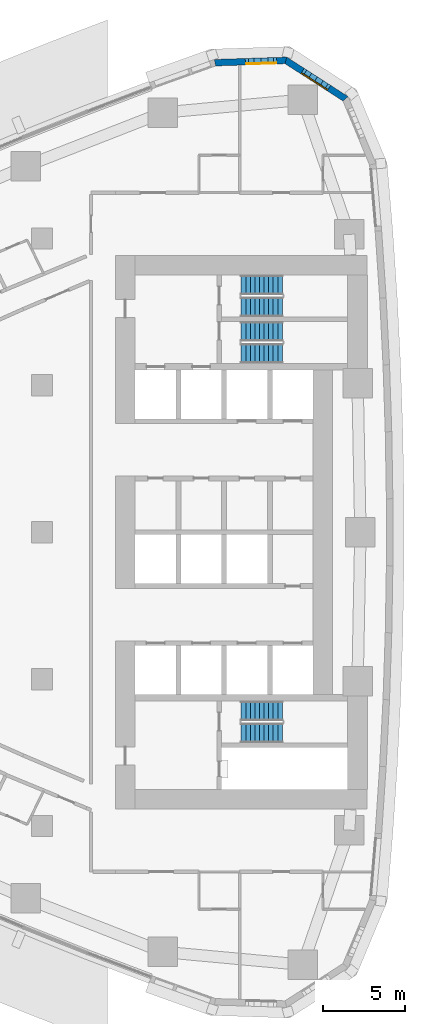
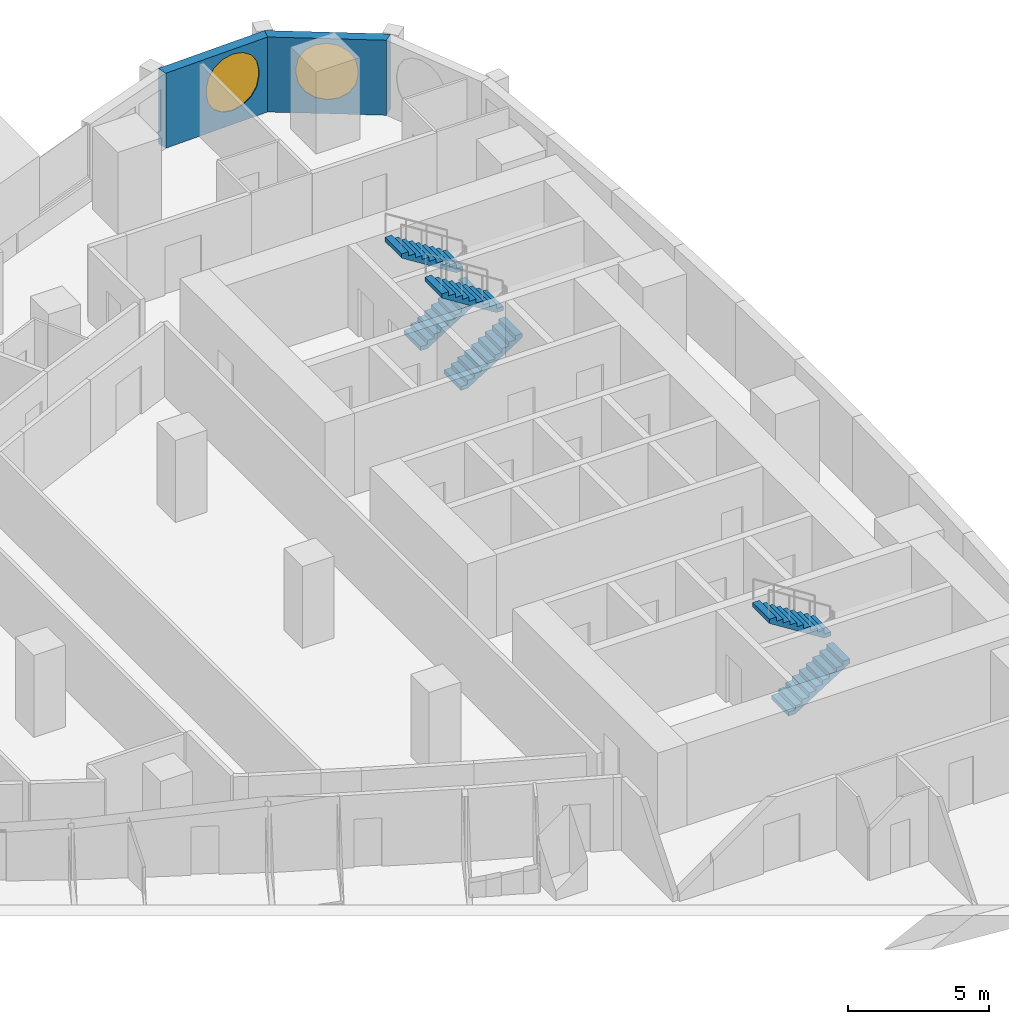
# One storey, part 14 of 19: 6 stair flights, 2 walls, 2 windows, 2 openings, 3 elements without a shape of their own.
"""IFC4 building model written with IfcOpenShell, lengths in metres."""

from ifc_helpers import new_model, si_unit, direction, frame, origin, place, context, subcontext, project, spatial, polyline, outline, extrude, material, layer, layer_set, type_object, element, fill, aggregate, save


model = new_model("IFC4")

# Units and contexts
model_context = context("Model", 3, precision=1e-05, world=origin(), true_north=direction((0.0, 1.0)))
body_context = subcontext(model_context, "Body", "Model", "MODEL_VIEW")
ifc_project = project(units=[si_unit("LENGTHUNIT", "METRE"), si_unit("AREAUNIT", "SQUARE_METRE"), si_unit("VOLUMEUNIT", "CUBIC_METRE"), si_unit("PLANEANGLEUNIT", "RADIAN"), si_unit("MASSUNIT", "GRAM", prefix="KILO")], contexts=[model_context])

# Site, building, storey
site_placement = place(None, origin())
site = spatial("IfcSite", under=ifc_project, at=site_placement, CompositionType="ELEMENT")
building_placement = place(site_placement, origin())
building = spatial("IfcBuilding", under=site, at=building_placement, Name="Ostrand Prow Hotel Tower", CompositionType="ELEMENT")
storey_placement = place(building_placement, frame((0.0, 0.0, 71.550048828125)))
storey = spatial("IfcBuildingStorey", under=building, at=storey_placement, Name="L16", CompositionType="ELEMENT", Elevation=71.550048828125)

# Wall, opening, window
ifc_material_1 = material(Name="Precast concrete C40/50", Category="concrete")
ifc_layer = layer(ifc_material_1, 0.39990234375)
ifc_layer_set = layer_set([ifc_layer], Name="Precast concrete C40/50")
wall_type = type_object("IfcWallType", Name="Stone-faced precast wall 400 mm", PredefinedType="NOTDEFINED", material=ifc_layer_set)
wall_1_placement = place(storey_placement, frame((63.58837890625, 26.55810546875, 0.0), z_axis=(0.0, 0.0, 1.0), x_axis=(-0.840937468718, 0.541132307025, 0.0)))
wall_1 = element("IfcWall", 1, at=wall_1_placement, inside=storey, type_object=wall_type, Name="Stone-faced wall back 17", PredefinedType="NOTDEFINED", context=body_context, shape_type="SweptSolid", body=[
    extrude(outline(polyline([(-0.0625, -0.199951171875), (4.40869140625, -0.199951171875), (4.28369140625, 0.199951171875), (0.0625, 0.199951171875), (-0.0625, -0.199951171875)])), origin(), (0.0, 0.0, 1.0), 3.25),
])
opening_1_placement = place(wall_1_placement, frame((1.072998046875, 0.0, 0.60009765625)))
opening_1 = element("IfcOpeningElement", 2, at=opening_1_placement, cuts=wall_1, Name="Opening WP1", PredefinedType="OPENING", context=body_context, shape_type="SweptSolid", body=[
    extrude(outline(polyline([(0.0, 1.35009765625), (0.083740234375, 1.77099609375), (0.322265625, 2.127685546875), (0.678955078125, 2.3662109375), (1.10009765625, 2.449951171875), (1.52099609375, 2.3662109375), (1.877685546875, 2.127685546875), (2.1162109375, 1.77099609375), (2.199951171875, 1.35009765625), (2.199951171875, 1.10009765625), (2.1162109375, 0.678955078125), (1.877685546875, 0.322265625), (1.52099609375, 0.083740234375), (1.10009765625, 0.0), (0.678955078125, 0.083740234375), (0.322265625, 0.322265625), (0.083740234375, 0.678955078125), (0.0, 1.099853515625), (0.0, 1.35009765625)])), frame((0.0, 0.2099609375, 0.0), z_axis=(0.0, -1.0, 0.0), x_axis=(1.0, 0.0, 0.0)), (0.0, 0.0, 1.0), 0.419921875),
])
ifc_material_2 = material(Name="Insulated glass in bronze frame", Category="glass")
window_type = type_object("IfcWindowType", Name="Round-ended prow window 2200x2450", PartitioningType="SINGLE_PANEL", PredefinedType="WINDOW", material=ifc_material_2)
window_1_placement = place(opening_1_placement, origin())
window_1 = element("IfcWindow", 3, at=window_1_placement, inside=storey, type_object=window_type, Name="Window back 17.1", OverallHeight=2.449951171875, OverallWidth=2.199951171875, PartitioningType="SINGLE_PANEL", PredefinedType="WINDOW", context=body_context, shape_type="SweptSolid", body=[
    extrude(outline(polyline([(0.0, 1.35009765625), (0.083740234375, 1.77099609375), (0.322265625, 2.127685546875), (0.678955078125, 2.3662109375), (1.10009765625, 2.449951171875), (1.52099609375, 2.3662109375), (1.877685546875, 2.127685546875), (2.1162109375, 1.77099609375), (2.199951171875, 1.35009765625), (2.199951171875, 1.10009765625), (2.1162109375, 0.678955078125), (1.877685546875, 0.322265625), (1.52099609375, 0.083740234375), (1.10009765625, 0.0), (0.678955078125, 0.083740234375), (0.322265625, 0.322265625), (0.083740234375, 0.678955078125), (0.0, 1.099853515625), (0.0, 1.35009765625)])), frame((0.0, 0.169921875, 0.0), z_axis=(0.0, -1.0, 0.0), x_axis=(1.0, 0.0, 0.0)), (0.0, 0.0, 1.0), 0.06005859375),
])
fill(opening_1, window_1)

wall_2_placement = place(storey_placement, frame((59.93359375, 28.909912109375, 0.0), z_axis=(0.0, 0.0, 1.0), x_axis=(-0.999463576228, -0.032749958686, 0.0)))
wall_2 = element("IfcWall", 4, at=wall_2_placement, inside=storey, type_object=wall_type, Name="Stone-faced wall back 18", PredefinedType="NOTDEFINED", context=body_context, shape_type="SweptSolid", body=[
    extrude(outline(polyline([(-0.0625, -0.199951171875), (4.377685546875, -0.199951171875), (4.314697265625, 0.199951171875), (0.0625, 0.199951171875), (-0.0625, -0.199951171875)])), origin(), (0.0, 0.0, 1.0), 3.25),
])
opening_2_placement = place(wall_2_placement, frame((0.421875, 0.0, 0.60009765625)))
opening_2 = element("IfcOpeningElement", 5, at=opening_2_placement, cuts=wall_2, Name="Opening WP1", PredefinedType="OPENING", context=body_context, shape_type="SweptSolid", body=[
    extrude(outline(polyline([(0.0, 1.35009765625), (0.083740234375, 1.77099609375), (0.322265625, 2.127685546875), (0.678955078125, 2.3662109375), (1.10009765625, 2.449951171875), (1.52099609375, 2.3662109375), (1.877685546875, 2.127685546875), (2.1162109375, 1.77099609375), (2.199951171875, 1.35009765625), (2.199951171875, 1.10009765625), (2.1162109375, 0.678955078125), (1.877685546875, 0.322265625), (1.52099609375, 0.083740234375), (1.10009765625, 0.0), (0.678955078125, 0.083740234375), (0.322265625, 0.322265625), (0.083740234375, 0.678955078125), (0.0, 1.099853515625), (0.0, 1.35009765625)])), frame((0.0, 0.2099609375, 0.0), z_axis=(0.0, -1.0, 0.0), x_axis=(1.0, 0.0, 0.0)), (0.0, 0.0, 1.0), 0.419921875),
])
window_2_placement = place(opening_2_placement, origin())
window_2 = element("IfcWindow", 6, at=window_2_placement, inside=storey, type_object=window_type, Name="Window back 18.1", OverallHeight=2.449951171875, OverallWidth=2.199951171875, PartitioningType="SINGLE_PANEL", PredefinedType="WINDOW", context=body_context, shape_type="SweptSolid", body=[
    extrude(outline(polyline([(0.0, 1.35009765625), (0.083740234375, 1.77099609375), (0.322265625, 2.127685546875), (0.678955078125, 2.3662109375), (1.10009765625, 2.449951171875), (1.52099609375, 2.3662109375), (1.877685546875, 2.127685546875), (2.1162109375, 1.77099609375), (2.199951171875, 1.35009765625), (2.199951171875, 1.10009765625), (2.1162109375, 0.678955078125), (1.877685546875, 0.322265625), (1.52099609375, 0.083740234375), (1.10009765625, 0.0), (0.678955078125, 0.083740234375), (0.322265625, 0.322265625), (0.083740234375, 0.678955078125), (0.0, 1.099853515625), (0.0, 1.35009765625)])), frame((0.0, 0.169921875, 0.0), z_axis=(0.0, -1.0, 0.0), x_axis=(1.0, 0.0, 0.0)), (0.0, 0.0, 1.0), 0.06005859375),
])
fill(opening_2, window_2)

# Stair, stair flights
ifc_material_3 = material(Name="Concrete C40/50", Category="concrete")
stair_type = type_object("IfcStairType", Name="Exit stair 1200 upper zone", PredefinedType="HALF_TURN_STAIR", material=ifc_material_3)
stair_1_placement = place(storey_placement, origin())
stair_1 = element("IfcStair", 7, at=stair_1_placement, inside=storey, type_object=stair_type, Name="L16 ST1C", PredefinedType="HALF_TURN_STAIR")
ifc_material_4 = material(Name="Concrete C40/50", Category="concrete")
stair_flight_type = type_object("IfcStairFlightType", Name="Stair flight 1200 concrete", PredefinedType="STRAIGHT", material=ifc_material_4)
stair_flight_1_placement = place(storey_placement, frame((57.199951171875, 10.949951171875, 0.0), z_axis=(0.0, 0.0, 1.0), x_axis=(1.0, 0.0, 0.0)))
stair_flight_1 = element("IfcStairFlight", 8, at=stair_flight_1_placement, type_object=stair_flight_type, Name="ST1C flight 1", NumberOfRisers=10, NumberOfTreads=9, PredefinedType="STRAIGHT", RiserHeight=0.1775, TreadLength=0.28, context=body_context, shape_type="SweptSolid", body=[
    extrude(outline(polyline([(0.0, 0.0), (0.0, 0.177490234375), (0.280029296875, 0.177490234375), (0.280029296875, 0.35498046875), (0.56005859375, 0.35498046875), (0.56005859375, 0.532470703125), (0.840087890625, 0.532470703125), (0.840087890625, 0.7099609375), (1.1201171875, 0.7099609375), (1.1201171875, 0.887451171875), (1.39990234375, 0.887451171875), (1.39990234375, 1.06494140625), (1.679931640625, 1.06494140625), (1.679931640625, 1.242431640625), (1.9599609375, 1.242431640625), (1.9599609375, 1.419921875), (2.239990234375, 1.419921875), (2.239990234375, 1.597412109375), (2.52001953125, 1.597412109375), (2.52001953125, 1.77490234375), (2.52001953125, 1.419921875), (0.280029296875, 0.0), (0.0, 0.0)])), frame((0.0, 0.60009765625, 0.0), z_axis=(0.0, -1.0, 0.0), x_axis=(1.0, 0.0, 0.0)), (0.0, 0.0, 1.0), 1.199951171875),
])
stair_flight_2_placement = place(storey_placement, frame((59.719970703125, 12.300048828125, 1.77490234375), z_axis=(0.0, 0.0, 1.0), x_axis=(-1.0, 0.0, 0.0)))
stair_flight_2 = element("IfcStairFlight", 9, at=stair_flight_2_placement, type_object=stair_flight_type, Name="ST1C flight 2", NumberOfRisers=10, NumberOfTreads=9, PredefinedType="STRAIGHT", RiserHeight=0.1775, TreadLength=0.28, context=body_context, shape_type="SweptSolid", body=[
    extrude(outline(polyline([(0.0, 0.0), (0.0, 0.177490234375), (0.280029296875, 0.177490234375), (0.280029296875, 0.35498046875), (0.56005859375, 0.35498046875), (0.56005859375, 0.532470703125), (0.840087890625, 0.532470703125), (0.840087890625, 0.7099609375), (1.1201171875, 0.7099609375), (1.1201171875, 0.887451171875), (1.39990234375, 0.887451171875), (1.39990234375, 1.06494140625), (1.679931640625, 1.06494140625), (1.679931640625, 1.242431640625), (1.9599609375, 1.242431640625), (1.9599609375, 1.419921875), (2.239990234375, 1.419921875), (2.239990234375, 1.597412109375), (2.52001953125, 1.597412109375), (2.52001953125, 1.77490234375), (2.52001953125, 1.419921875), (0.280029296875, 0.0), (0.0, 0.0)])), frame((0.0, 0.60009765625, 0.0), z_axis=(0.0, -1.0, 0.0), x_axis=(1.0, 0.0, 0.0)), (0.0, 0.0, 1.0), 1.199951171875),
])
aggregate(stair_1, [stair_flight_1, stair_flight_2])

stair_2_placement = place(storey_placement, origin())
stair_2 = element("IfcStair", 10, at=stair_2_placement, inside=storey, type_object=stair_type, Name="L16 ST3C", PredefinedType="HALF_TURN_STAIR")
stair_flight_3_placement = place(storey_placement, frame((57.199951171875, 13.800048828125, 0.0), z_axis=(0.0, 0.0, 1.0), x_axis=(1.0, 0.0, 0.0)))
stair_flight_3 = element("IfcStairFlight", 11, at=stair_flight_3_placement, type_object=stair_flight_type, Name="ST3C flight 1", NumberOfRisers=10, NumberOfTreads=9, PredefinedType="STRAIGHT", RiserHeight=0.1775, TreadLength=0.28, context=body_context, shape_type="SweptSolid", body=[
    extrude(outline(polyline([(0.0, 0.0), (0.0, 0.177490234375), (0.280029296875, 0.177490234375), (0.280029296875, 0.35498046875), (0.56005859375, 0.35498046875), (0.56005859375, 0.532470703125), (0.840087890625, 0.532470703125), (0.840087890625, 0.7099609375), (1.1201171875, 0.7099609375), (1.1201171875, 0.887451171875), (1.39990234375, 0.887451171875), (1.39990234375, 1.06494140625), (1.679931640625, 1.06494140625), (1.679931640625, 1.242431640625), (1.9599609375, 1.242431640625), (1.9599609375, 1.419921875), (2.239990234375, 1.419921875), (2.239990234375, 1.597412109375), (2.52001953125, 1.597412109375), (2.52001953125, 1.77490234375), (2.52001953125, 1.419921875), (0.280029296875, 0.0), (0.0, 0.0)])), frame((0.0, 0.60009765625, 0.0), z_axis=(0.0, -1.0, 0.0), x_axis=(1.0, 0.0, 0.0)), (0.0, 0.0, 1.0), 1.199951171875),
])
stair_flight_4_placement = place(storey_placement, frame((59.719970703125, 15.14990234375, 1.77490234375), z_axis=(0.0, 0.0, 1.0), x_axis=(-1.0, 0.0, 0.0)))
stair_flight_4 = element("IfcStairFlight", 12, at=stair_flight_4_placement, type_object=stair_flight_type, Name="ST3C flight 2", NumberOfRisers=10, NumberOfTreads=9, PredefinedType="STRAIGHT", RiserHeight=0.1775, TreadLength=0.28, context=body_context, shape_type="SweptSolid", body=[
    extrude(outline(polyline([(0.0, 0.0), (0.0, 0.177490234375), (0.280029296875, 0.177490234375), (0.280029296875, 0.35498046875), (0.56005859375, 0.35498046875), (0.56005859375, 0.532470703125), (0.840087890625, 0.532470703125), (0.840087890625, 0.7099609375), (1.1201171875, 0.7099609375), (1.1201171875, 0.887451171875), (1.39990234375, 0.887451171875), (1.39990234375, 1.06494140625), (1.679931640625, 1.06494140625), (1.679931640625, 1.242431640625), (1.9599609375, 1.242431640625), (1.9599609375, 1.419921875), (2.239990234375, 1.419921875), (2.239990234375, 1.597412109375), (2.52001953125, 1.597412109375), (2.52001953125, 1.77490234375), (2.52001953125, 1.419921875), (0.280029296875, 0.0), (0.0, 0.0)])), frame((0.0, 0.60009765625, 0.0), z_axis=(0.0, -1.0, 0.0), x_axis=(1.0, 0.0, 0.0)), (0.0, 0.0, 1.0), 1.199951171875),
])
aggregate(stair_2, [stair_flight_3, stair_flight_4])

stair_3_placement = place(storey_placement, origin())
stair_3 = element("IfcStair", 13, at=stair_3_placement, inside=storey, type_object=stair_type, Name="L16 ST2C", PredefinedType="HALF_TURN_STAIR")
stair_flight_5_placement = place(storey_placement, frame((57.199951171875, -12.300048828125, 0.0), z_axis=(0.0, 0.0, 1.0), x_axis=(1.0, 0.0, 0.0)))
stair_flight_5 = element("IfcStairFlight", 14, at=stair_flight_5_placement, type_object=stair_flight_type, Name="ST2C flight 1", NumberOfRisers=10, NumberOfTreads=9, PredefinedType="STRAIGHT", RiserHeight=0.1775, TreadLength=0.28, context=body_context, shape_type="SweptSolid", body=[
    extrude(outline(polyline([(0.0, 0.0), (0.0, 0.177490234375), (0.280029296875, 0.177490234375), (0.280029296875, 0.35498046875), (0.56005859375, 0.35498046875), (0.56005859375, 0.532470703125), (0.840087890625, 0.532470703125), (0.840087890625, 0.7099609375), (1.1201171875, 0.7099609375), (1.1201171875, 0.887451171875), (1.39990234375, 0.887451171875), (1.39990234375, 1.06494140625), (1.679931640625, 1.06494140625), (1.679931640625, 1.242431640625), (1.9599609375, 1.242431640625), (1.9599609375, 1.419921875), (2.239990234375, 1.419921875), (2.239990234375, 1.597412109375), (2.52001953125, 1.597412109375), (2.52001953125, 1.77490234375), (2.52001953125, 1.419921875), (0.280029296875, 0.0), (0.0, 0.0)])), frame((0.0, 0.60009765625, 0.0), z_axis=(0.0, -1.0, 0.0), x_axis=(1.0, 0.0, 0.0)), (0.0, 0.0, 1.0), 1.199951171875),
])
stair_flight_6_placement = place(storey_placement, frame((59.719970703125, -10.949951171875, 1.77490234375), z_axis=(0.0, 0.0, 1.0), x_axis=(-1.0, 0.0, 0.0)))
stair_flight_6 = element("IfcStairFlight", 15, at=stair_flight_6_placement, type_object=stair_flight_type, Name="ST2C flight 2", NumberOfRisers=10, NumberOfTreads=9, PredefinedType="STRAIGHT", RiserHeight=0.1775, TreadLength=0.28, context=body_context, shape_type="SweptSolid", body=[
    extrude(outline(polyline([(0.0, 0.0), (0.0, 0.177490234375), (0.280029296875, 0.177490234375), (0.280029296875, 0.35498046875), (0.56005859375, 0.35498046875), (0.56005859375, 0.532470703125), (0.840087890625, 0.532470703125), (0.840087890625, 0.7099609375), (1.1201171875, 0.7099609375), (1.1201171875, 0.887451171875), (1.39990234375, 0.887451171875), (1.39990234375, 1.06494140625), (1.679931640625, 1.06494140625), (1.679931640625, 1.242431640625), (1.9599609375, 1.242431640625), (1.9599609375, 1.419921875), (2.239990234375, 1.419921875), (2.239990234375, 1.597412109375), (2.52001953125, 1.597412109375), (2.52001953125, 1.77490234375), (2.52001953125, 1.419921875), (0.280029296875, 0.0), (0.0, 0.0)])), frame((0.0, 0.60009765625, 0.0), z_axis=(0.0, -1.0, 0.0), x_axis=(1.0, 0.0, 0.0)), (0.0, 0.0, 1.0), 1.199951171875),
])
aggregate(stair_3, [stair_flight_5, stair_flight_6])

save(model, "model.ifc")
